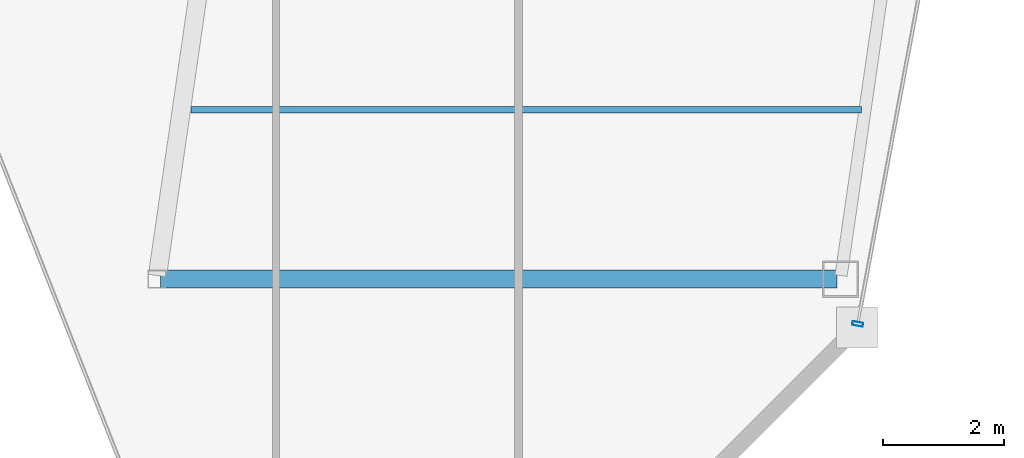
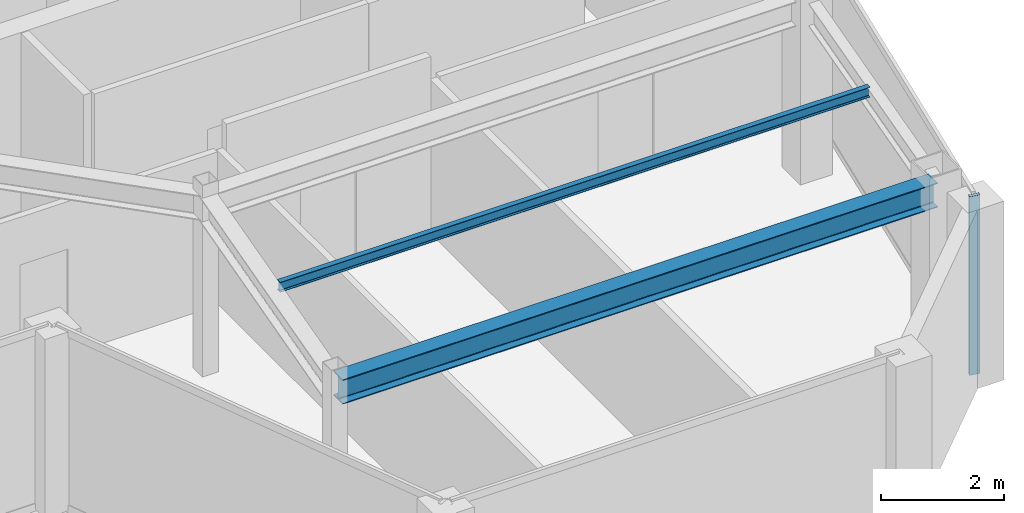
# One storey, part 12 of 23: 2 beams, 1 member, 1 element without a shape of its own.
"""IFC4 building model written with IfcOpenShell, lengths in metres."""

import ifcopenshell
import ifcopenshell.guid

model = None  # the IFC model being written
_history = None  # IfcOwnerHistory: only IFC2X3 demands one
_inside = {}  # id of a spatial element -> (the spatial element, [elements in it])
_under = {}  # id of a project, library or spatial element -> (it, [spatial elements below it])
_declared = {}  # id of a project -> (the project, [libraries it declares])
_typed = {}  # id of a type object -> (the type object, [elements of that type])
_made_of = {}  # id of a material, layer set ... -> (it, [elements and type objects made of it])


def new_model(schema):
    """Start an empty IFC model of exactly this schema.

    Asked for "IFC4X3", IfcOpenShell would pick the latest addendum, in which some entities
    have other attributes; the version numbers below select the first issue.
    IFC2X3 requires an IfcOwnerHistory on every rooted entity: one is made here for all.
    """
    global model, _history
    if schema == "IFC4X3":
        model = ifcopenshell.file(schema_version=(4, 3, 0, 0))
    else:
        model = ifcopenshell.file(schema=schema)
    _inside.clear()
    _under.clear()
    _declared.clear()
    _typed.clear()
    _made_of.clear()
    _history = None
    if model.schema == "IFC2X3":
        org = make("IfcOrganization", Name="unknown")
        user = make(
            "IfcPersonAndOrganization",
            ThePerson=make("IfcPerson", FamilyName="unknown"),
            TheOrganization=org,
        )
        app = make(
            "IfcApplication",
            ApplicationDeveloper=org,
            Version="unknown",
            ApplicationFullName="unknown",
            ApplicationIdentifier="unknown",
        )
        _history = make(
            "IfcOwnerHistory",
            OwningUser=user,
            OwningApplication=app,
            ChangeAction="ADDED",
            CreationDate=0,
        )
    return model


def make(cls, **values):
    """One entity of the class cls with the attributes given. An attribute that is None is left unset."""
    return model.create_entity(
        cls, **{name: value for name, value in values.items() if value is not None}
    )


def rooted(cls, **values):
    """An entity with a GlobalId (a new one), such as an element, a storey or a relation."""
    return make(cls, GlobalId=ifcopenshell.guid.new(), OwnerHistory=_history, **values)


def si_unit(unit_type, name, prefix=None):
    """IfcSIUnit, for example si_unit("LENGTHUNIT", "METRE", prefix="MILLI")."""
    return make("IfcSIUnit", UnitType=unit_type, Prefix=prefix, Name=name)


def assignment(units):
    """IfcUnitAssignment: the units of a project."""
    return None if units is None else make("IfcUnitAssignment", Units=units)


def point(xyz):
    """IfcCartesianPoint."""
    return None if xyz is None else make("IfcCartesianPoint", Coordinates=xyz)


def direction(xyz):
    """IfcDirection."""
    return None if xyz is None else make("IfcDirection", DirectionRatios=xyz)


def frame(location, z_axis=None, x_axis=None):
    """IfcAxis2Placement3D, a coordinate frame: its origin and axes. An axis left out is left unset."""
    return make(
        "IfcAxis2Placement3D",
        Location=point(location),
        Axis=direction(z_axis),
        RefDirection=direction(x_axis),
    )


def frame_2d(location, x_axis=None):
    """IfcAxis2Placement2D, a coordinate frame in the plane: its origin and x axis."""
    return make(
        "IfcAxis2Placement2D", Location=point(location), RefDirection=direction(x_axis)
    )


def origin():
    """The frame at (0, 0, 0) with its axes left unset."""
    return frame((0.0, 0.0, 0.0))


def origin_2d():
    """The frame at (0, 0) in the plane with its x axis left unset."""
    return frame_2d((0.0, 0.0))


def place(relative_to, where):
    """IfcLocalPlacement: puts the frame where relative to a parent placement (None: the world)."""
    return make(
        "IfcLocalPlacement", PlacementRelTo=relative_to, RelativePlacement=where
    )


def context(
    kind, dimensions, precision=None, world=None, true_north=None, identifier=None
):
    """IfcGeometricRepresentationContext, for example the 3D "Model" context."""
    return make(
        "IfcGeometricRepresentationContext",
        ContextIdentifier=identifier,
        ContextType=kind,
        CoordinateSpaceDimension=dimensions,
        Precision=precision,
        WorldCoordinateSystem=world,
        TrueNorth=true_north,
    )


def subcontext(parent, identifier, kind, view, scale=None):
    """IfcGeometricRepresentationSubContext, for example "Body" below "Model"."""
    return make(
        "IfcGeometricRepresentationSubContext",
        ContextIdentifier=identifier,
        ContextType=kind,
        ParentContext=parent,
        TargetScale=scale,
        TargetView=view,
    )


def project(units=None, contexts=None):
    """IfcProject with its units and contexts."""
    return rooted(
        "IfcProject",
        Name="project",
        RepresentationContexts=contexts,
        UnitsInContext=assignment(units),
    )


def spatial(cls, under=None, at=None, **own):
    """A site, building, storey or space (cls), placed at a placement, below another one or the project."""
    s = rooted(cls, ObjectPlacement=at, **own)
    if under is not None:
        _under.setdefault(under.id(), (under, []))[1].append(s)
    return s


def profile(cls, at=None, kind="AREA", **sizes):
    """A parametric profile (cls). Its sizes go by their IFC names, for example OverallWidth=200.0."""
    return make(cls, ProfileType=kind, Position=at, **sizes)


def hollow_rectangle(**sizes):
    """IfcRectangleHollowProfileDef."""
    return profile("IfcRectangleHollowProfileDef", **sizes)


def i_section(**sizes):
    """IfcIShapeProfileDef."""
    return profile("IfcIShapeProfileDef", **sizes)


def extrude(swept, where, along, depth):
    """IfcExtrudedAreaSolid: the profile swept, set in the frame where, extruded along a direction by depth."""
    return make(
        "IfcExtrudedAreaSolid",
        SweptArea=swept,
        Position=where,
        ExtrudedDirection=direction(along),
        Depth=depth,
    )


def shape(context_of_items, identifier, shape_type, items):
    """IfcShapeRepresentation: the items that make up one representation, for example the "Body"."""
    return make(
        "IfcShapeRepresentation",
        ContextOfItems=context_of_items,
        RepresentationIdentifier=identifier,
        RepresentationType=shape_type,
        Items=items,
    )


def material(Name=None, Category=None):
    """IfcMaterial."""
    return make("IfcMaterial", Name=Name, Category=Category)


def material_profile(
    of_material, cross_section, Name=None, Category=None, Priority=None
):
    """IfcMaterialProfile: a cross section and its material."""
    return make(
        "IfcMaterialProfile",
        Name=Name,
        Material=of_material,
        Profile=cross_section,
        Priority=Priority,
        Category=Category,
    )


def profile_set(profiles, Name=None, composite=None):
    """IfcMaterialProfileSet."""
    return make(
        "IfcMaterialProfileSet",
        Name=Name,
        MaterialProfiles=profiles,
        CompositeProfile=composite,
    )


def made_of(thing, what):
    """Note that an element or type object is made of a material, layer set ...; save() writes the relation."""
    if what is not None:
        _made_of.setdefault(what.id(), (what, []))[1].append(thing)
    return thing


def type_object(cls, material=None, **own):
    """A type object (cls), such as IfcWallType, which elements share."""
    return made_of(rooted(cls, **own), material)


def element(
    cls,
    number,
    at=None,
    inside=None,
    cuts=None,
    type_object=None,
    material=None,
    context=None,
    identifier="Body",
    shape_type=None,
    held_by="IfcProductDefinitionShape",
    body=None,
    shapes=None,
    **own,
):
    """One element of the class cls, such as IfcWall. Its Tag is "e" and its number.

    at: its placement. inside: the storey or other place that contains it. cuts: it is an
    opening in that element (IfcRelVoidsElement). A single representation is given by context,
    identifier, shape_type and body (its items); several are given by shapes. held_by: the class
    of the entity that holds the representations. save() writes the other relations.
    """
    e = rooted(cls, Tag="e%d" % number, ObjectPlacement=at, **own)
    if body is not None:
        shapes = [shape(context, identifier, shape_type, body)]
    if shapes is not None:
        e.Representation = make(held_by, Representations=shapes)
    if inside is not None:
        _inside.setdefault(inside.id(), (inside, []))[1].append(e)
    if cuts is not None:
        rooted(
            "IfcRelVoidsElement", RelatingBuildingElement=cuts, RelatedOpeningElement=e
        )
    if type_object is not None:
        _typed.setdefault(type_object.id(), (type_object, []))[1].append(e)
    return made_of(e, material)


def aggregate(whole, parts):
    """IfcRelAggregates: a whole, such as a stair, and the parts it consists of."""
    return rooted("IfcRelAggregates", RelatingObject=whole, RelatedObjects=parts)


def save(model, path):
    """Write the relations noted so far, then the file.

    IfcRelAggregates (storeys below a building ...), IfcRelContainedInSpatialStructure (elements
    in a storey), IfcRelDefinesByType, IfcRelAssociatesMaterial and IfcRelDeclares: one each for
    every whole, place, type object, material and project.
    """
    for whole, parts in _under.values():
        aggregate(whole, parts)
    for where, things in _inside.values():
        rooted(
            "IfcRelContainedInSpatialStructure",
            RelatedElements=things,
            RelatingStructure=where,
        )
    for kind, things in _typed.values():
        rooted("IfcRelDefinesByType", RelatedObjects=things, RelatingType=kind)
    for what, things in _made_of.values():
        rooted("IfcRelAssociatesMaterial", RelatedObjects=things, RelatingMaterial=what)
    for by, libraries in _declared.values():
        rooted("IfcRelDeclares", RelatingContext=by, RelatedDefinitions=libraries)
    model.write(path)


model = new_model("IFC4")

# Units and contexts
model_context = context("Model", 3, precision=1e-05, world=origin(), true_north=direction((0.0, 1.0)))
body_context = subcontext(model_context, "Body", "Model", "MODEL_VIEW")
ifc_project = project(units=[si_unit("LENGTHUNIT", "METRE"), si_unit("AREAUNIT", "SQUARE_METRE"), si_unit("VOLUMEUNIT", "CUBIC_METRE"), si_unit("PLANEANGLEUNIT", "RADIAN"), si_unit("MASSUNIT", "GRAM", prefix="KILO")], contexts=[model_context])

# Site, building, storey
site_placement = place(None, origin())
site = spatial("IfcSite", under=ifc_project, at=site_placement, CompositionType="ELEMENT")
building_placement = place(site_placement, origin())
building = spatial("IfcBuilding", under=site, at=building_placement, Name="Saevonmaru Cultural Tower", CompositionType="ELEMENT")
storey_placement = place(building_placement, frame((0.0, 0.0, 283.800048828125)))
storey = spatial("IfcBuildingStorey", under=building, at=storey_placement, Name="L67", CompositionType="ELEMENT", Elevation=283.800048828125)

# Beams
ifc_material_1 = material(Name="Steel SM355", Category="steel")
ifc_material_profile_1 = material_profile(ifc_material_1, i_section(OverallWidth=0.300048828125, OverallDepth=0.488037109375, WebThickness=0.010986328125, FlangeThickness=0.01806640625, FilletRadius=0.02197265625, at=origin_2d()), Name="H-488x300x11x18")
ifc_profile_set_1 = profile_set([ifc_material_profile_1], Name="Steel SM355")
beam_type_1 = type_object("IfcBeamType", Name="BM-G-H488", PredefinedType="BEAM", material=ifc_profile_set_1)
beam_1_placement = place(storey_placement, frame((40.443115234375, 32.0, 3.305908203125), z_axis=(1.0, 0.0, 0.0), x_axis=(0.0, 1.0, 0.0)))
element("IfcBeam", 1, at=beam_1_placement, inside=storey, type_object=beam_type_1, Name="L67 East Wing Transverse Girder 1", PredefinedType="BEAM", context=body_context, shape_type="SweptSolid", body=[
    extrude(i_section(OverallWidth=0.300048828125, OverallDepth=0.488037109375, WebThickness=0.010986328125, FlangeThickness=0.01806640625, FilletRadius=0.02197265625, at=origin_2d()), origin(), (0.0, 0.0, 1.0), 11.179931640625),
])
ifc_material_profile_2 = material_profile(ifc_material_1, i_section(OverallWidth=0.10009765625, OverallDepth=0.199951171875, WebThickness=0.005615234375, FlangeThickness=0.008056640625, FilletRadius=0.008056640625, at=origin_2d()), Name="H-200x100x5.5x8")
ifc_profile_set_2 = profile_set([ifc_material_profile_2], Name="Steel SM355")
beam_type_2 = type_object("IfcBeamType", Name="BM-J-H200", PredefinedType="JOIST", material=ifc_profile_set_2)
beam_2_placement = place(storey_placement, frame((40.945556640625, 34.800048828125, 3.449951171875), z_axis=(1.0, 0.0, 0.0), x_axis=(0.0, 1.0, 0.0)))
element("IfcBeam", 2, at=beam_2_placement, inside=storey, type_object=beam_type_2, Name="L67 East Wing Floor Joist 1", PredefinedType="JOIST", context=body_context, shape_type="SweptSolid", body=[
    extrude(i_section(OverallWidth=0.10009765625, OverallDepth=0.199951171875, WebThickness=0.005615234375, FlangeThickness=0.008056640625, FilletRadius=0.008056640625, at=origin_2d()), origin(), (0.0, 0.0, 1.0), 11.08203125),
])

# Curtain wall, member
ifc_material_2 = material(Name="Satin Bronze Anodised Aluminium", Category="aluminium")
curtain_wall_type = type_object("IfcCurtainWallType", Name="CW-TYP-B", PredefinedType="NOTDEFINED", material=ifc_material_2)
curtain_wall_placement = place(storey_placement, origin())
curtain_wall = element("IfcCurtainWall", 3, at=curtain_wall_placement, inside=storey, type_object=curtain_wall_type, Name="L67 Unitised Curtain Wall E8", PredefinedType="NOTDEFINED")
ifc_material_profile_3 = material_profile(ifc_material_2, hollow_rectangle(XDim=0.06494140625, YDim=0.179931640625, WallThickness=0.00390625, at=origin_2d()), Name="ALU-MULL-180x65x4")
ifc_profile_set_3 = profile_set([ifc_material_profile_3], Name="Satin Bronze Anodised Aluminium")
member_type = type_object("IfcMemberType", Name="ML-CW-180x65", PredefinedType="MULLION", material=ifc_profile_set_3)
member_placement = place(storey_placement, frame((51.966552734375, 31.259033203125, 0.0), z_axis=(0.0, 0.0, 1.0), x_axis=(0.184046528232, 0.982917532373, 0.0)))
member = element("IfcMember", 4, at=member_placement, type_object=member_type, Name="CW-TW-L67-E8 mullion 1", PredefinedType="MULLION", context=body_context, shape_type="SweptSolid", body=[
    extrude(hollow_rectangle(XDim=0.06494140625, YDim=0.179931640625, WallThickness=0.00390625, at=origin_2d()), origin(), (0.0, 0.0, 1.0), 3.550048828125),
])
aggregate(curtain_wall, [member])

save(model, "model.ifc")
